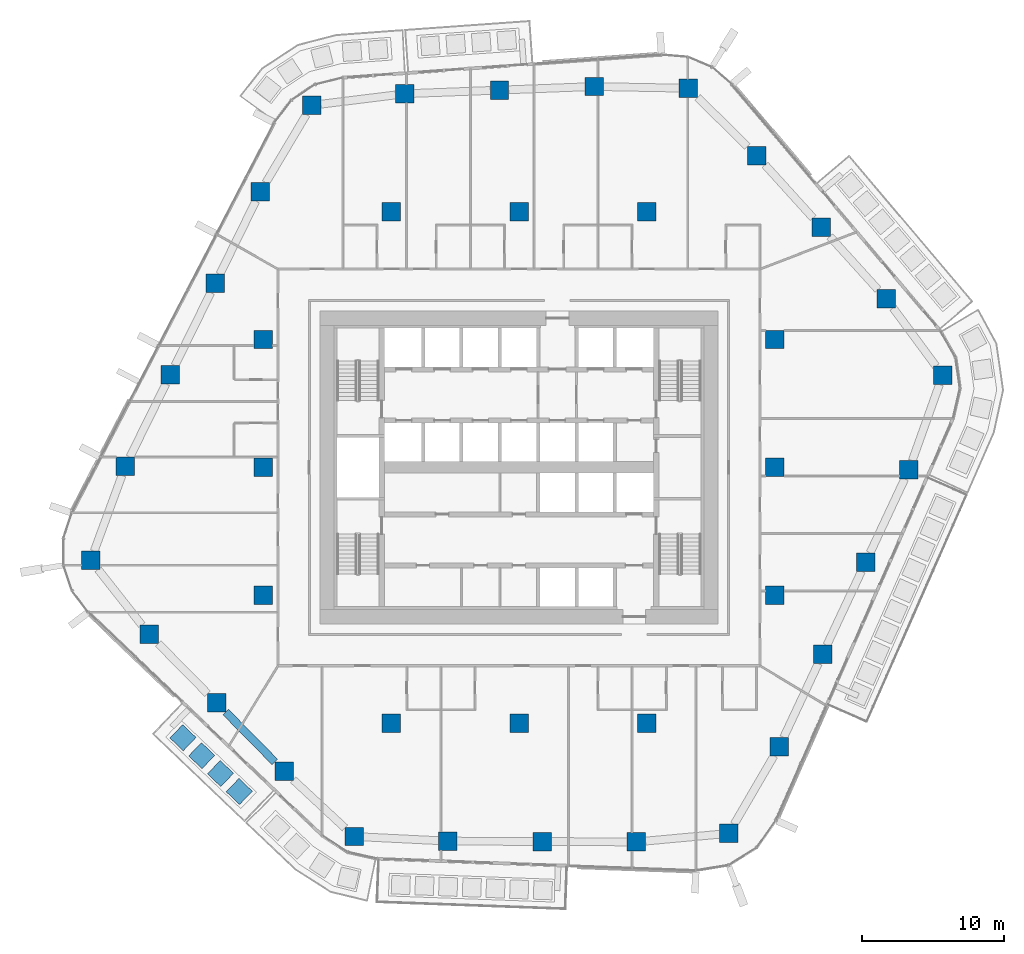
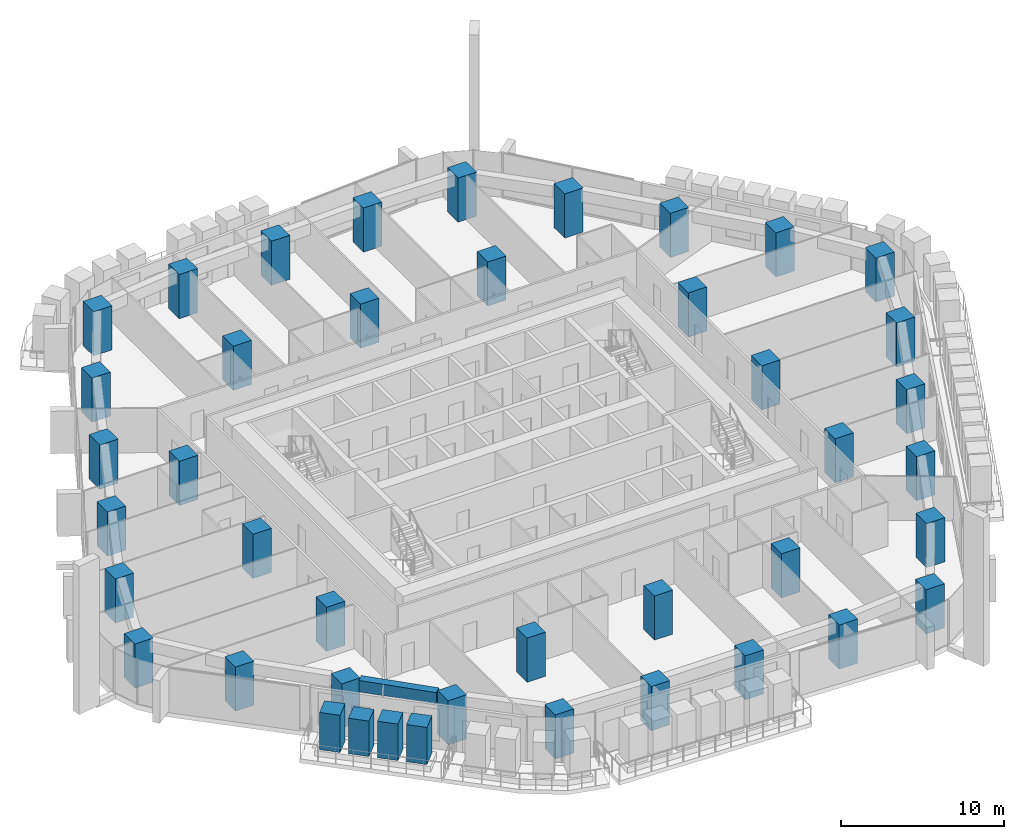
# One storey, part 1 of 24: 38 columns, 4 members, 1 beam.
"""IFC4 building model written with IfcOpenShell, lengths in metres."""

from ifc_helpers import new_model, si_unit, direction, frame, origin, origin_2d, place, context, subcontext, project, spatial, rectangle, extrude, material, material_profile, profile_set, type_object, element, save


model = new_model("IFC4")

# Units and contexts
model_context = context("Model", 3, precision=1e-05, world=origin(), true_north=direction((0.0, 1.0)))
body_context = subcontext(model_context, "Body", "Model", "MODEL_VIEW")
ifc_project = project(units=[si_unit("LENGTHUNIT", "METRE"), si_unit("AREAUNIT", "SQUARE_METRE"), si_unit("VOLUMEUNIT", "CUBIC_METRE"), si_unit("PLANEANGLEUNIT", "RADIAN"), si_unit("MASSUNIT", "GRAM", prefix="KILO")], contexts=[model_context])

# Site, building, storey
site_placement = place(None, origin())
site = spatial("IfcSite", under=ifc_project, at=site_placement, CompositionType="ELEMENT")
building_placement = place(site_placement, origin())
building = spatial("IfcBuilding", under=site, at=building_placement, Name="Dongbaek Canopy Tower", CompositionType="ELEMENT")
storey_placement = place(building_placement, frame((0.0, 0.0, 106.300048828125)))
storey = spatial("IfcBuildingStorey", under=building, at=storey_placement, Name="L22", CompositionType="ELEMENT", Elevation=106.300048828125)

# Columns
ifc_material_1 = material(Name="Concrete C80", Category="concrete")
ifc_material_profile_1 = material_profile(ifc_material_1, rectangle(XDim=1.300048828125, YDim=1.300048828125, at=origin_2d()), Name="RC COLUMN 1300x1300 C80")
ifc_profile_set_1 = profile_set([ifc_material_profile_1], Name="Concrete C80")
column_type = type_object("IfcColumnType", Name="RC COLUMN 1300x1300 C80", PredefinedType="COLUMN", material=ifc_profile_set_1)
for number, where, z_axis, x_axis, name in (
    (1, (14.760009765625, -25.7490234375, 0.0), (0.0, 0.0, 1.0), (1.0, 0.0, 0.0), "COL:CZ2-01:L22"),
    (2, (8.258056640625, -26.34912109375, 0.0), (0.0, 0.0, 1.0), (1.0, 0.0, 0.0), "COL:CZ2-02:L22"),
    (3, (1.62890625, -26.319091796875, 0.0), (0.0, 0.0, 1.0), (1.0, 0.0, 0.0), "COL:CZ2-03:L22"),
    (4, (-5.0, -26.2900390625, 0.0), (0.0, 0.0, 1.0), (1.0, 0.0, 0.0), "COL:CZ2-04:L22"),
    (5, (-11.59912109375, -25.966064453125, 0.0), (0.0, 0.0, 1.0), (1.0, 0.0, 0.0), "COL:CZ2-05:L22"),
    (6, (-16.532958984375, -21.376953125, 0.0), (0.0, 0.0, 1.0), (1.0, 0.0, 0.0), "COL:CZ2-06:L22"),
    (7, (-21.277099609375, -16.56005859375, 0.0), (0.0, 0.0, 1.0), (1.0, 0.0, 0.0), "COL:CZ2-07:L22"),
    (8, (-26.02099609375, -11.742919921875, 0.0), (0.0, 0.0, 1.0), (1.0, 0.0, 0.0), "COL:CZ2-08:L22"),
    (9, (-30.125, -6.527099609375, 0.0), (0.0, 0.0, 1.0), (1.0, 0.0, 0.0), "COL:CZ2-09:L22"),
    (10, (-27.693115234375, 0.0830078125, 0.0), (0.0, 0.0, 1.0), (1.0, 0.0, 0.0), "COL:CZ2-10:L22"),
    (11, (-24.529052734375, 6.51806640625, 0.0), (0.0, 0.0, 1.0), (1.0, 0.0, 0.0), "COL:CZ2-11:L22"),
    (12, (-21.364013671875, 12.951904296875, 0.0), (0.0, 0.0, 1.0), (1.0, 0.0, 0.0), "COL:CZ2-12:L22"),
    (13, (-18.198974609375, 19.385986328125, 0.0), (0.0, 0.0, 1.0), (1.0, 0.0, 0.0), "COL:CZ2-13:L22"),
    (14, (-14.575927734375, 25.471923828125, 0.0), (0.0, 0.0, 1.0), (1.0, 0.0, 0.0), "COL:CZ2-14:L22"),
    (15, (-8.041015625, 26.2880859375, 0.0), (0.0, 0.0, 1.0), (1.0, 0.0, 0.0), "COL:CZ2-15:L22"),
    (16, (-1.3720703125, 26.5439453125, 0.0), (0.0, 0.0, 1.0), (1.0, 0.0, 0.0), "COL:CZ2-16:L22"),
    (17, (5.294921875, 26.798095703125, 0.0), (0.0, 0.0, 1.0), (1.0, 0.0, 0.0), "COL:CZ2-17:L22"),
    (18, (11.9169921875, 26.674072265625, 0.0), (0.0, 0.0, 1.0), (1.0, 0.0, 0.0), "COL:CZ2-18:L22"),
    (19, (16.718017578125, 21.93505859375, 0.0), (0.0, 0.0, 1.0), (1.0, 0.0, 0.0), "COL:CZ2-19:L22"),
    (20, (21.280029296875, 16.89794921875, 0.0), (0.0, 0.0, 1.0), (1.0, 0.0, 0.0), "COL:CZ2-20:L22"),
    (21, (25.841064453125, 11.862060546875, 0.0), (0.0, 0.0, 1.0), (1.0, 0.0, 0.0), "COL:CZ2-21:L22"),
    (22, (29.81103515625, 6.48193359375, 0.0), (0.0, 0.0, 1.0), (1.0, 0.0, 0.0), "COL:CZ2-22:L22"),
    (23, (27.43603515625, -0.1650390625, 0.0), (0.0, 0.0, 1.0), (1.0, 0.0, 0.0), "COL:CZ2-23:L22"),
    (24, (24.39599609375, -6.656982421875, 0.0), (0.0, 0.0, 1.0), (1.0, 0.0, 0.0), "COL:CZ2-24:L22"),
    (25, (21.35595703125, -13.14990234375, 0.0), (0.0, 0.0, 1.0), (1.0, 0.0, 0.0), "COL:CZ2-25:L22"),
    (26, (18.31494140625, -19.64208984375, 0.0), (0.0, 0.0, 1.0), (1.0, 0.0, 0.0), "COL:CZ2-26:L22"),
    (27, (-18.0, -9.0, 0.0), (0.0, 0.0, 1.0), (1.0, 0.0, 0.0), "COL:CIZ2-01:L22"),
    (28, (-18.0, 0.0, 0.0), (0.0, 0.0, 1.0), (1.0, 0.0, 0.0), "COL:CIZ2-02:L22"),
    (29, (-18.0, 9.0, 0.0), (0.0, 0.0, 1.0), (1.0, 0.0, 0.0), "COL:CIZ2-03:L22"),
    (30, (-9.0, -18.0, 0.0), (0.0, 0.0, 1.0), (1.0, 0.0, 0.0), "COL:CIZ2-04:L22"),
    (31, (-9.0, 18.0, 0.0), (0.0, 0.0, 1.0), (1.0, 0.0, 0.0), "COL:CIZ2-05:L22"),
    (32, (0.0, -18.0, 0.0), (0.0, 0.0, 1.0), (1.0, 0.0, 0.0), "COL:CIZ2-06:L22"),
    (33, (0.0, 18.0, 0.0), (0.0, 0.0, 1.0), (1.0, 0.0, 0.0), "COL:CIZ2-07:L22"),
    (34, (9.0, -18.0, 0.0), (0.0, 0.0, 1.0), (1.0, 0.0, 0.0), "COL:CIZ2-08:L22"),
    (35, (9.0, 18.0, 0.0), (0.0, 0.0, 1.0), (1.0, 0.0, 0.0), "COL:CIZ2-09:L22"),
    (36, (18.0, -9.0, 0.0), (0.0, 0.0, 1.0), (1.0, 0.0, 0.0), "COL:CIZ2-10:L22"),
    (37, (18.0, 0.0, 0.0), (0.0, 0.0, 1.0), (1.0, 0.0, 0.0), "COL:CIZ2-11:L22"),
    (38, (18.0, 9.0, 0.0), (0.0, 0.0, 1.0), (1.0, 0.0, 0.0), "COL:CIZ2-12:L22"),
):
    element("IfcColumn", number, at=place(storey_placement, frame(where, z_axis=z_axis, x_axis=x_axis)), inside=storey, type_object=column_type, Name=name, PredefinedType="COLUMN", context=body_context, shape_type="SweptSolid", body=[
        extrude(rectangle(XDim=1.300048828125, YDim=1.300048828125, at=origin_2d()), origin(), (0.0, 0.0, 1.0), 3.300048828125),
    ])

# Beam
ifc_material_2 = material(Name="Concrete C80", Category="concrete")
ifc_material_profile_2 = material_profile(ifc_material_2, rectangle(XDim=0.550048828125, YDim=0.85009765625, at=origin_2d()), Name="RC EDGE BEAM 550x850 C80")
ifc_profile_set_2 = profile_set([ifc_material_profile_2], Name="Concrete C80")
beam_type = type_object("IfcBeamType", Name="RC EDGE BEAM 550x850 C80", PredefinedType="BEAM", material=ifc_profile_set_2)
beam_placement = place(storey_placement, frame((-17.173095703125, -20.72705078125, 2.875), z_axis=(-0.701695422573, 0.712477040992, 0.0), x_axis=(-0.712477040992, -0.701695422573, 0.0)))
element("IfcBeam", 39, at=beam_placement, inside=storey, type_object=beam_type, Name="EDGEBEAM:L22:05", PredefinedType="BEAM", context=body_context, shape_type="SweptSolid", body=[
    extrude(rectangle(XDim=0.550048828125, YDim=0.85009765625, at=origin_2d()), origin(), (0.0, 0.0, 1.0), 4.9365234375),
])

# Members
ifc_material_3 = material(Name="Concrete C40/50 planter mass with planting", Category="concrete")
ifc_material_profile_3 = material_profile(ifc_material_3, rectangle(XDim=1.300048828125, YDim=1.300048828125, at=origin_2d()), Name="Terrace PLANTER shrub mass 1300 x 1300")
ifc_profile_set_3 = profile_set([ifc_material_profile_3], Name="Concrete C40/50 planter mass with planting")
member_type = type_object("IfcMemberType", Name="Terrace PLANTER shrub mass 1300 x 1300", PredefinedType="USERDEFINED", material=ifc_profile_set_3)
member_1_placement = place(storey_placement, frame((-23.642578125, -19.017333984375, 0.419921875), z_axis=(0.0, 0.0, 1.0), x_axis=(-0.690482477156, -0.723349119541, 0.0)))
element("IfcMember", 40, at=member_1_placement, inside=storey, type_object=member_type, Name="Planter shrubs L22 3.1", ObjectType="PLANTER", PredefinedType="USERDEFINED", context=body_context, shape_type="SweptSolid", body=[
    extrude(rectangle(XDim=1.300048828125, YDim=1.300048828125, at=origin_2d()), origin(), (0.0, 0.0, 1.0), 2.780029296875),
])
member_2_placement = place(storey_placement, frame((-22.322021484375, -20.27783203125, 0.419921875), z_axis=(0.0, 0.0, 1.0), x_axis=(-0.690482477156, -0.723349119541, 0.0)))
element("IfcMember", 41, at=member_2_placement, inside=storey, type_object=member_type, Name="Planter shrubs L22 3.2", ObjectType="PLANTER", PredefinedType="USERDEFINED", context=body_context, shape_type="SweptSolid", body=[
    extrude(rectangle(XDim=1.300048828125, YDim=1.300048828125, at=origin_2d()), origin(), (0.0, 0.0, 1.0), 2.650146484375),
])
member_3_placement = place(storey_placement, frame((-21.001220703125, -21.53857421875, 0.419921875), z_axis=(0.0, 0.0, 1.0), x_axis=(-0.690482477156, -0.723349119541, 0.0)))
element("IfcMember", 42, at=member_3_placement, inside=storey, type_object=member_type, Name="Planter shrubs L22 3.3", ObjectType="PLANTER", PredefinedType="USERDEFINED", context=body_context, shape_type="SweptSolid", body=[
    extrude(rectangle(XDim=1.300048828125, YDim=1.300048828125, at=origin_2d()), origin(), (0.0, 0.0, 1.0), 2.72998046875),
])
member_4_placement = place(storey_placement, frame((-19.680419921875, -22.79931640625, 0.419921875), z_axis=(0.0, 0.0, 1.0), x_axis=(-0.690482477156, -0.723349119541, 0.0)))
element("IfcMember", 43, at=member_4_placement, inside=storey, type_object=member_type, Name="Planter shrubs L22 3.4", ObjectType="PLANTER", PredefinedType="USERDEFINED", context=body_context, shape_type="SweptSolid", body=[
    extrude(rectangle(XDim=1.300048828125, YDim=1.300048828125, at=origin_2d()), origin(), (0.0, 0.0, 1.0), 2.780029296875),
])

save(model, "model.ifc")
